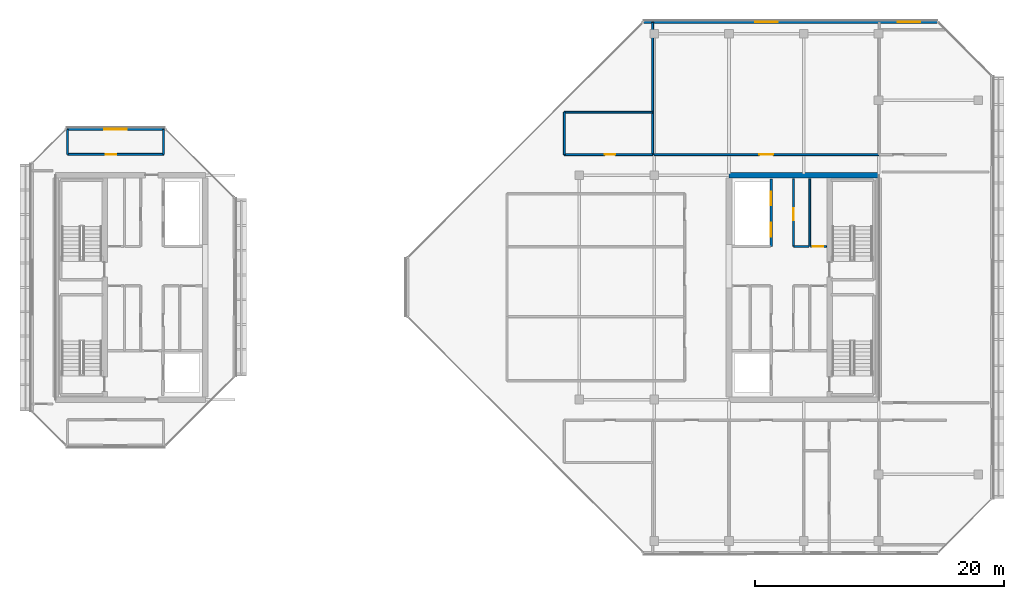
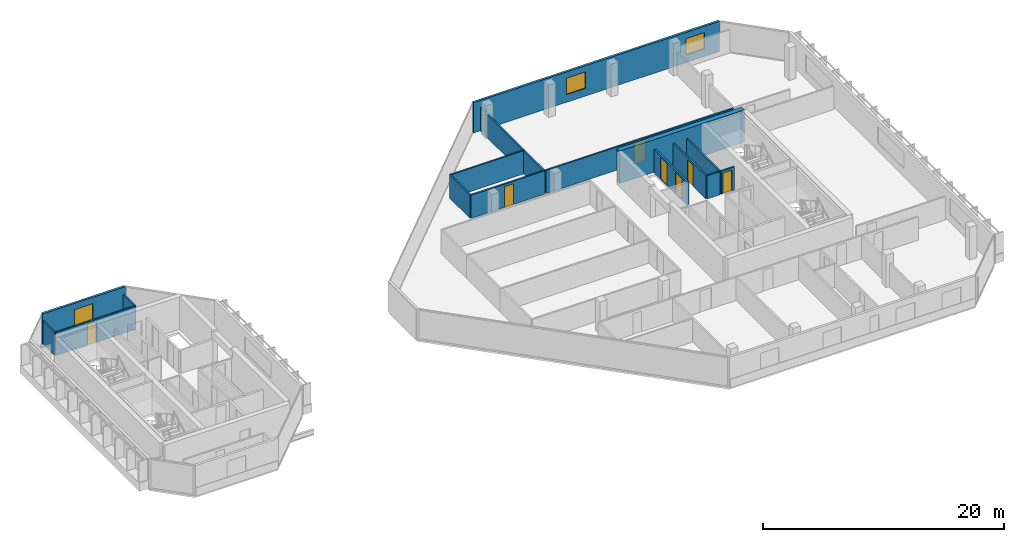
# One storey, part 24 of 29: 16 walls, 7 doors, 3 windows, 10 openings.
"""IFC4 building model written with IfcOpenShell, lengths in metres."""

from ifc_helpers import new_model, si_unit, direction, frame, frame_2d, origin, place, context, subcontext, project, spatial, rectangle, extrude, material, layer, layer_set, type_object, element, fill, save


model = new_model("IFC4")

# Units and contexts
model_context = context("Model", 3, precision=1e-05, world=origin(), true_north=direction((0.0, 1.0)))
body_context = subcontext(model_context, "Body", "Model", "MODEL_VIEW")
ifc_project = project(units=[si_unit("LENGTHUNIT", "METRE"), si_unit("AREAUNIT", "SQUARE_METRE"), si_unit("VOLUMEUNIT", "CUBIC_METRE"), si_unit("PLANEANGLEUNIT", "RADIAN"), si_unit("MASSUNIT", "GRAM", prefix="KILO")], contexts=[model_context])

# Site, building, storey
site_placement = place(None, origin())
site = spatial("IfcSite", under=ifc_project, at=site_placement, CompositionType="ELEMENT")
building_placement = place(site_placement, origin())
building = spatial("IfcBuilding", under=site, at=building_placement, Name="Tanjung Sevakor Pilgrim Tower", CompositionType="ELEMENT")
storey_placement = place(building_placement, frame((0.0, 0.0, 232.64990234375)))
storey = spatial("IfcBuildingStorey", under=building, at=storey_placement, Name="L65", CompositionType="ELEMENT", Elevation=232.64990234375)

# Walls
ifc_material_1 = material(Name="Concrete C60/75", Category="concrete")
ifc_layer_1 = layer(ifc_material_1, 0.449951171875)
ifc_layer_set_1 = layer_set([ifc_layer_1], Name="WALL-CW-450")
wall_type_1 = type_object("IfcWallType", Name="WALL-CW-450", PredefinedType="SHEAR", material=ifc_layer_set_1)
wall_1_placement = place(storey_placement, frame((90.0, 42.60009765625, 0.0), z_axis=(0.0, 0.0, 1.0), x_axis=(-1.0, 0.0, 0.0)))
element("IfcWall", 1, at=wall_1_placement, inside=storey, type_object=wall_type_1, Name="L65 E Core North Shear Wall", PredefinedType="SHEAR", context=body_context, shape_type="SweptSolid", body=[
    extrude(rectangle(XDim=12.0, YDim=0.449951171875, at=frame_2d((6.0, 0.0))), origin(), (0.0, 0.0, 1.0), 3.300048828125),
])
ifc_material_2 = material(Name="Concrete C40/50", Category="concrete")
ifc_layer_2 = layer(ifc_material_2, 0.14990234375)
ifc_layer_set_2 = layer_set([ifc_layer_2], Name="WT-COMP-150")
wall_type_2 = type_object("IfcWallType", Name="WT-COMP-150", PredefinedType="SOLIDWALL", material=ifc_layer_set_2)
wall_2_placement = place(storey_placement, frame((84.47998046875, 36.8798828125, 0.0), z_axis=(0.0, 0.0, 1.0), x_axis=(0.0, 1.0, 0.0)))
element("IfcWall", 2, at=wall_2_placement, inside=storey, type_object=wall_type_2, Name="L65 Partition IW-L65-027", PredefinedType="SOLIDWALL", context=body_context, shape_type="SweptSolid", body=[
    extrude(rectangle(XDim=5.420166015625, YDim=0.14990234375, at=frame_2d((2.7099609375, 0.0))), origin(), (0.0, 0.0, 1.0), 2.35009765625),
])

# Wall, opening, door
wall_3_placement = place(storey_placement, frame((84.550048828125, 36.8798828125, 0.0), z_axis=(0.0, 0.0, 1.0), x_axis=(1.0, 0.0, 0.0)))
wall_3 = element("IfcWall", 3, at=wall_3_placement, inside=storey, type_object=wall_type_2, Name="L65 Partition IW-L65-028", PredefinedType="SOLIDWALL", context=body_context, shape_type="SweptSolid", body=[
    extrude(rectangle(XDim=1.280029296875, YDim=0.14990234375, at=frame_2d((0.64013671875, 0.0))), origin(), (0.0, 0.0, 1.0), 2.35009765625),
])
opening_1_placement = place(wall_3_placement, frame((0.179931640625, 0.0, 0.0)))
opening_1 = element("IfcOpeningElement", 4, at=opening_1_placement, cuts=wall_3, Name="Opening ID-FD3", PredefinedType="OPENING", context=body_context, shape_type="SweptSolid", body=[
    extrude(rectangle(XDim=0.85009765625, YDim=2.10009765625, at=frame_2d((0.425048828125, 1.050048828125))), frame((0.0, 0.0849609375, 0.0), z_axis=(0.0, -1.0, 0.0), x_axis=(1.0, 0.0, 0.0)), (0.0, 0.0, 1.0), 0.169921875),
])
ifc_material_3 = material(Name="Fire-Rated Timber", Category="wood")
door_type_1 = type_object("IfcDoorType", Name="DT-FIRE-850", OperationType="NOTDEFINED", PredefinedType="DOOR", material=ifc_material_3)
door_1_placement = place(opening_1_placement, origin())
door_1 = element("IfcDoor", 5, at=door_1_placement, inside=storey, type_object=door_type_1, Name="L65 Service Store Door", OperationType="SINGLE_SWING_LEFT", OverallHeight=2.10009765625, OverallWidth=0.85009765625, PredefinedType="DOOR", context=body_context, shape_type="SweptSolid", body=[
    extrude(rectangle(XDim=0.85009765625, YDim=2.10009765625, at=frame_2d((0.425048828125, 1.050048828125))), frame((0.0, 0.02490234375, 0.0), z_axis=(0.0, -1.0, 0.0), x_axis=(1.0, 0.0, 0.0)), (0.0, 0.0, 1.0), 0.050048828125),
])
fill(opening_1, door_1)

# Wall
wall_4_placement = place(storey_placement, frame((83.199951171875, 36.8798828125, 0.0), z_axis=(0.0, 0.0, 1.0), x_axis=(1.0, 0.0, 0.0)))
element("IfcWall", 6, at=wall_4_placement, inside=storey, type_object=wall_type_2, Name="L65 Partition IW-L65-029", PredefinedType="SOLIDWALL", context=body_context, shape_type="SweptSolid", body=[
    extrude(rectangle(XDim=1.219970703125, YDim=0.14990234375, at=frame_2d((0.60986328125, 0.0))), origin(), (0.0, 0.0, 1.0), 2.35009765625),
])

# Wall, opening, door
wall_5_placement = place(storey_placement, frame((83.179931640625, 36.8798828125, 0.0), z_axis=(0.0, 0.0, 1.0), x_axis=(0.0, 1.0, 0.0)))
wall_5 = element("IfcWall", 7, at=wall_5_placement, inside=storey, type_object=wall_type_2, Name="L65 Partition IW-L65-030", PredefinedType="SOLIDWALL", context=body_context, shape_type="SweptSolid", body=[
    extrude(rectangle(XDim=5.420166015625, YDim=0.14990234375, at=frame_2d((2.7099609375, 0.0))), origin(), (0.0, 0.0, 1.0), 2.35009765625),
])
opening_2_placement = place(wall_5_placement, frame((2.10009765625, 0.0, 0.0)))
opening_2 = element("IfcOpeningElement", 8, at=opening_2_placement, cuts=wall_5, Name="Opening ID-FD2", PredefinedType="OPENING", context=body_context, shape_type="SweptSolid", body=[
    extrude(rectangle(XDim=0.949951171875, YDim=2.14990234375, at=frame_2d((0.47509765625, 1.074951171875))), frame((0.0, 0.0849609375, 0.0), z_axis=(0.0, -1.0, 0.0), x_axis=(1.0, 0.0, 0.0)), (0.0, 0.0, 1.0), 0.169921875),
])
ifc_material_4 = material(Name="Fire-Rated Timber", Category="wood")
door_type_2 = type_object("IfcDoorType", Name="DT-FIRE-950", OperationType="NOTDEFINED", PredefinedType="DOOR", material=ifc_material_4)
door_2_placement = place(opening_2_placement, origin())
door_2 = element("IfcDoor", 9, at=door_2_placement, inside=storey, type_object=door_type_2, Name="L65 Core Reading Room Door", OperationType="SINGLE_SWING_RIGHT", OverallHeight=2.14990234375, OverallWidth=0.949951171875, PredefinedType="DOOR", context=body_context, shape_type="SweptSolid", body=[
    extrude(rectangle(XDim=0.949951171875, YDim=2.14990234375, at=frame_2d((0.47509765625, 1.074951171875))), frame((0.0, 0.02490234375, 0.0), z_axis=(0.0, -1.0, 0.0), x_axis=(1.0, 0.0, 0.0)), (0.0, 0.0, 1.0), 0.050048828125),
])
fill(opening_2, door_2)

wall_6_placement = place(storey_placement, frame((24.949951171875, 44.27001953125, 0.0), z_axis=(0.0, 0.0, 1.0), x_axis=(1.0, 0.0, 0.0)))
wall_6 = element("IfcWall", 10, at=wall_6_placement, inside=storey, type_object=wall_type_2, Name="L65 Partition IW-L65-038", PredefinedType="SOLIDWALL", context=body_context, shape_type="SweptSolid", body=[
    extrude(rectangle(XDim=7.699951171875, YDim=0.14990234375, at=frame_2d((3.85009765625, 0.0))), origin(), (0.0, 0.0, 1.0), 2.35009765625),
])
opening_3_placement = place(wall_6_placement, frame((3.074951171875, 0.0, 0.0)))
opening_3 = element("IfcOpeningElement", 11, at=opening_3_placement, cuts=wall_6, Name="Opening ID-WC1", PredefinedType="OPENING", context=body_context, shape_type="SweptSolid", body=[
    extrude(rectangle(XDim=0.85009765625, YDim=2.10009765625, at=frame_2d((0.425048828125, 1.050048828125))), frame((0.0, 0.0849609375, 0.0), z_axis=(0.0, -1.0, 0.0), x_axis=(1.0, 0.0, 0.0)), (0.0, 0.0, 1.0), 0.169921875),
])
ifc_material_5 = material(Name="Moisture-Resistant Timber", Category="wood")
door_type_3 = type_object("IfcDoorType", Name="DT-INT-850", OperationType="NOTDEFINED", PredefinedType="DOOR", material=ifc_material_5)
door_3_placement = place(opening_3_placement, origin())
door_3 = element("IfcDoor", 12, at=door_3_placement, inside=storey, type_object=door_type_3, Name="L65 West Peak North Observatory Door", OperationType="SINGLE_SWING_LEFT", OverallHeight=2.10009765625, OverallWidth=0.85009765625, PredefinedType="DOOR", context=body_context, shape_type="SweptSolid", body=[
    extrude(rectangle(XDim=0.85009765625, YDim=2.10009765625, at=frame_2d((0.425048828125, 1.050048828125))), frame((0.0, 0.02490234375, 0.0), z_axis=(0.0, -1.0, 0.0), x_axis=(1.0, 0.0, 0.0)), (0.0, 0.0, 1.0), 0.050048828125),
])
fill(opening_3, door_3)

# Walls
for number, where, z_axis, x_axis, name in (
    (13, (24.949951171875, 44.27001953125, 0.0), (0.0, 0.0, 1.0), (0.0, 1.0, 0.0), "L65 Partition IW-L65-039"),
    (14, (32.64990234375, 44.27001953125, 0.0), (0.0, 0.0, 1.0), (0.0, 1.0, 0.0), "L65 Partition IW-L65-040"),
):
    element("IfcWall", number, at=place(storey_placement, frame(where, z_axis=z_axis, x_axis=x_axis)), inside=storey, type_object=wall_type_2, Name=name, PredefinedType="SOLIDWALL", context=body_context, shape_type="SweptSolid", body=[
        extrude(rectangle(XDim=2.010009765625, YDim=0.14990234375, at=frame_2d((1.0048828125, 0.0))), origin(), (0.0, 0.0, 1.0), 2.35009765625),
    ])

# Wall, opening, door
wall_7_placement = place(storey_placement, frame((64.800048828125, 44.25, 0.0), z_axis=(0.0, 0.0, 1.0), x_axis=(1.0, 0.0, 0.0)))
wall_7 = element("IfcWall", 15, at=wall_7_placement, inside=storey, type_object=wall_type_2, Name="L65 Partition IW-L65-045", PredefinedType="SOLIDWALL", context=body_context, shape_type="SweptSolid", body=[
    extrude(rectangle(XDim=7.079833984375, YDim=0.14990234375, at=frame_2d((3.5400390625, 0.0))), origin(), (0.0, 0.0, 1.0), 2.35009765625),
])
opening_4_placement = place(wall_7_placement, frame((3.22509765625, 0.0, 0.0)))
opening_4 = element("IfcOpeningElement", 16, at=opening_4_placement, cuts=wall_7, Name="Opening ID-WC1", PredefinedType="OPENING", context=body_context, shape_type="SweptSolid", body=[
    extrude(rectangle(XDim=0.85009765625, YDim=2.10009765625, at=frame_2d((0.425048828125, 1.050048828125))), frame((0.0, 0.0849609375, 0.0), z_axis=(0.0, -1.0, 0.0), x_axis=(1.0, 0.0, 0.0)), (0.0, 0.0, 1.0), 0.169921875),
])
door_4_placement = place(opening_4_placement, origin())
door_4 = element("IfcDoor", 17, at=door_4_placement, inside=storey, type_object=door_type_3, Name="L65 NW Crown Library Door", OperationType="SINGLE_SWING_LEFT", OverallHeight=2.10009765625, OverallWidth=0.85009765625, PredefinedType="DOOR", context=body_context, shape_type="SweptSolid", body=[
    extrude(rectangle(XDim=0.85009765625, YDim=2.10009765625, at=frame_2d((0.425048828125, 1.050048828125))), frame((0.0, 0.02490234375, 0.0), z_axis=(0.0, -1.0, 0.0), x_axis=(1.0, 0.0, 0.0)), (0.0, 0.0, 1.0), 0.050048828125),
])
fill(opening_4, door_4)

# Walls
wall_8_placement = place(storey_placement, frame((64.800048828125, 47.64990234375, 0.0), z_axis=(0.0, 0.0, 1.0), x_axis=(1.0, 0.0, 0.0)))
element("IfcWall", 18, at=wall_8_placement, inside=storey, type_object=wall_type_2, Name="L65 Partition IW-L65-046", PredefinedType="SOLIDWALL", context=body_context, shape_type="SweptSolid", body=[
    extrude(rectangle(XDim=7.079833984375, YDim=0.14990234375, at=frame_2d((3.5400390625, 0.0))), origin(), (0.0, 0.0, 1.0), 2.35009765625),
])
wall_9_placement = place(storey_placement, frame((64.800048828125, 44.25, 0.0), z_axis=(0.0, 0.0, 1.0), x_axis=(0.0, 1.0, 0.0)))
element("IfcWall", 19, at=wall_9_placement, inside=storey, type_object=wall_type_2, Name="L65 Partition IW-L65-047", PredefinedType="SOLIDWALL", context=body_context, shape_type="SweptSolid", body=[
    extrude(rectangle(XDim=3.39990234375, YDim=0.14990234375, at=frame_2d((1.699951171875, 0.0))), origin(), (0.0, 0.0, 1.0), 2.35009765625),
])
wall_10_placement = place(storey_placement, frame((71.8798828125, 44.25, 0.0), z_axis=(0.0, 0.0, 1.0), x_axis=(0.0, 1.0, 0.0)))
element("IfcWall", 20, at=wall_10_placement, inside=storey, type_object=wall_type_2, Name="L65 Partition IW-L65-048", PredefinedType="SOLIDWALL", context=body_context, shape_type="SweptSolid", body=[
    extrude(rectangle(XDim=10.610107421875, YDim=0.14990234375, at=frame_2d((5.30517578125, 0.0))), origin(), (0.0, 0.0, 1.0), 2.35009765625),
])

# Wall, opening, door
wall_11_placement = place(storey_placement, frame((72.0, 44.25, 0.0), z_axis=(0.0, 0.0, 1.0), x_axis=(1.0, 0.0, 0.0)))
wall_11 = element("IfcWall", 21, at=wall_11_placement, inside=storey, type_object=wall_type_2, Name="L65 Partition IW-L65-064", PredefinedType="SOLIDWALL", context=body_context, shape_type="SweptSolid", body=[
    extrude(rectangle(XDim=18.0, YDim=0.14990234375, at=frame_2d((9.0, 0.0))), origin(), (0.0, 0.0, 1.0), 2.35009765625),
])
opening_5_placement = place(wall_11_placement, frame((8.449951171875, 0.0, 0.0)))
opening_5 = element("IfcOpeningElement", 22, at=opening_5_placement, cuts=wall_11, Name="Opening ID-FD0", PredefinedType="OPENING", context=body_context, shape_type="SweptSolid", body=[
    extrude(rectangle(XDim=1.10009765625, YDim=2.14990234375, at=frame_2d((0.550048828125, 1.074951171875))), frame((0.0, 0.0849609375, 0.0), z_axis=(0.0, -1.0, 0.0), x_axis=(1.0, 0.0, 0.0)), (0.0, 0.0, 1.0), 0.169921875),
])
ifc_material_6 = material(Name="Fire-Rated Steel S355J2", Category="steel")
door_type_4 = type_object("IfcDoorType", Name="DT-FIRE-1100", OperationType="NOTDEFINED", PredefinedType="DOOR", material=ifc_material_6)
door_5_placement = place(opening_5_placement, origin())
door_5 = element("IfcDoor", 23, at=door_5_placement, inside=storey, type_object=door_type_4, Name="Sky-Prayer Sanctuary Door", OperationType="SINGLE_SWING_RIGHT", OverallHeight=2.14990234375, OverallWidth=1.10009765625, PredefinedType="DOOR", context=body_context, shape_type="SweptSolid", body=[
    extrude(rectangle(XDim=1.10009765625, YDim=2.14990234375, at=frame_2d((0.550048828125, 1.074951171875))), frame((0.0, 0.02490234375, 0.0), z_axis=(0.0, -1.0, 0.0), x_axis=(1.0, 0.0, 0.0)), (0.0, 0.0, 1.0), 0.050048828125),
])
fill(opening_5, door_5)

# Wall, opening, window
ifc_material_7 = material(Name="Precast concrete C45/55", Category="concrete")
ifc_layer_3 = layer(ifc_material_7, 0.219970703125)
ifc_layer_set_3 = layer_set([ifc_layer_3], Name="WT-EW-STN4")
wall_type_3 = type_object("IfcWallType", Name="WT-EW-STN4", PredefinedType="SOLIDWALL", material=ifc_layer_set_3)
wall_12_placement = place(storey_placement, frame((32.804443359375, 46.2900390625, 0.0), z_axis=(0.0, 0.0, 1.0), x_axis=(-1.0, 0.0, 0.0)))
wall_12 = element("IfcWall", 24, at=wall_12_placement, inside=storey, type_object=wall_type_3, Name="L65 WEST Exterior Wall 5", PredefinedType="SOLIDWALL", context=body_context, shape_type="SweptSolid", body=[
    extrude(rectangle(XDim=7.958740234375, YDim=0.219970703125, at=frame_2d((3.9794921875, 0.0))), origin(), (0.0, 0.0, 1.0), 3.080078125),
])
opening_6_placement = place(wall_12_placement, frame((3.1044921875, 0.0, 0.780029296875)))
opening_6 = element("IfcOpeningElement", 25, at=opening_6_placement, cuts=wall_12, Name="Opening WN-Z3-1660", PredefinedType="OPENING", context=body_context, shape_type="SweptSolid", body=[
    extrude(rectangle(XDim=1.800048828125, YDim=1.659912109375, at=frame_2d((0.89990234375, 0.830078125))), frame((0.0, 0.119873046875, 0.0), z_axis=(0.0, -1.0, 0.0), x_axis=(1.0, 0.0, 0.0)), (0.0, 0.0, 1.0), 0.239990234375),
])
ifc_material_8 = material(Name="Thermally Broken Aluminium and Low-E Glass", Category="aluminium")
window_type = type_object("IfcWindowType", Name="WTYP-WN-Z3-1660", PartitioningType="DOUBLE_PANEL_VERTICAL", PredefinedType="WINDOW", material=ifc_material_8)
window_1_placement = place(opening_6_placement, origin())
window_1 = element("IfcWindow", 26, at=window_1_placement, inside=storey, type_object=window_type, Name="L65 Facade Window 01", OverallHeight=1.659912109375, OverallWidth=1.800048828125, PartitioningType="SINGLE_PANEL", PredefinedType="WINDOW", context=body_context, shape_type="SweptSolid", body=[
    extrude(rectangle(XDim=1.800048828125, YDim=1.659912109375, at=frame_2d((0.89990234375, 0.830078125))), frame((0.0, 0.030029296875, 0.0), z_axis=(0.0, -1.0, 0.0), x_axis=(1.0, 0.0, 0.0)), (0.0, 0.0, 1.0), 0.06005859375),
])
fill(opening_6, window_1)

# Wall, openings, windows
wall_13_placement = place(storey_placement, frame((94.75439453125, 54.889892578125, 0.0), z_axis=(0.0, 0.0, 1.0), x_axis=(-1.0, 0.0, 0.0)))
wall_13 = element("IfcWall", 27, at=wall_13_placement, inside=storey, type_object=wall_type_3, Name="L65 EAST Exterior Wall 5", PredefinedType="SOLIDWALL", context=body_context, shape_type="SweptSolid", body=[
    extrude(rectangle(XDim=23.60888671875, YDim=0.219970703125, at=frame_2d((11.804443359375, 0.0))), origin(), (0.0, 0.0, 1.0), 3.080078125),
])
opening_7_placement = place(wall_13_placement, frame((1.42724609375, 0.0, 0.780029296875)))
opening_7 = element("IfcOpeningElement", 28, at=opening_7_placement, cuts=wall_13, Name="Opening WN-Z3-1660", PredefinedType="OPENING", context=body_context, shape_type="SweptSolid", body=[
    extrude(rectangle(XDim=1.800048828125, YDim=1.659912109375, at=frame_2d((0.89990234375, 0.830078125))), frame((0.0, 0.119873046875, 0.0), z_axis=(0.0, -1.0, 0.0), x_axis=(1.0, 0.0, 0.0)), (0.0, 0.0, 1.0), 0.239990234375),
])
opening_8_placement = place(wall_13_placement, frame((12.8544921875, 0.0, 0.780029296875)))
opening_8 = element("IfcOpeningElement", 29, at=opening_8_placement, cuts=wall_13, Name="Opening WN-Z3-1660", PredefinedType="OPENING", context=body_context, shape_type="SweptSolid", body=[
    extrude(rectangle(XDim=1.800048828125, YDim=1.659912109375, at=frame_2d((0.89990234375, 0.830078125))), frame((0.0, 0.119873046875, 0.0), z_axis=(0.0, -1.0, 0.0), x_axis=(1.0, 0.0, 0.0)), (0.0, 0.0, 1.0), 0.239990234375),
])
window_2_placement = place(opening_7_placement, origin())
window_2 = element("IfcWindow", 30, at=window_2_placement, inside=storey, type_object=window_type, Name="L65 Facade Window 01", OverallHeight=1.659912109375, OverallWidth=1.800048828125, PartitioningType="SINGLE_PANEL", PredefinedType="WINDOW", context=body_context, shape_type="SweptSolid", body=[
    extrude(rectangle(XDim=1.800048828125, YDim=1.659912109375, at=frame_2d((0.89990234375, 0.830078125))), frame((0.0, 0.030029296875, 0.0), z_axis=(0.0, -1.0, 0.0), x_axis=(1.0, 0.0, 0.0)), (0.0, 0.0, 1.0), 0.06005859375),
])
fill(opening_7, window_2)
window_3_placement = place(opening_8_placement, origin())
window_3 = element("IfcWindow", 31, at=window_3_placement, inside=storey, type_object=window_type, Name="L65 Facade Window 02", OverallHeight=1.659912109375, OverallWidth=1.800048828125, PartitioningType="SINGLE_PANEL", PredefinedType="WINDOW", context=body_context, shape_type="SweptSolid", body=[
    extrude(rectangle(XDim=1.800048828125, YDim=1.659912109375, at=frame_2d((0.89990234375, 0.830078125))), frame((0.0, 0.030029296875, 0.0), z_axis=(0.0, -1.0, 0.0), x_axis=(1.0, 0.0, 0.0)), (0.0, 0.0, 1.0), 0.06005859375),
])
fill(opening_8, window_3)

# Wall, openings, doors
ifc_material_9 = material(Name="Concrete C40/50", Category="concrete")
ifc_layer_4 = layer(ifc_material_9, 0.199951171875)
ifc_layer_set_4 = layer_set([ifc_layer_4], Name="WT-FPRT-200")
wall_type_4 = type_object("IfcWallType", Name="WT-FPRT-200", PredefinedType="SOLIDWALL", material=ifc_layer_set_4)
wall_14_placement = place(storey_placement, frame((81.3798828125, 36.8798828125, 0.0), z_axis=(0.0, 0.0, 1.0), x_axis=(0.0, 1.0, 0.0)))
wall_14 = element("IfcWall", 32, at=wall_14_placement, inside=storey, type_object=wall_type_4, Name="L65 Partition IW-L65-032", PredefinedType="SOLIDWALL", context=body_context, shape_type="SweptSolid", body=[
    extrude(rectangle(XDim=5.420166015625, YDim=0.199951171875, at=frame_2d((2.7099609375, 0.0))), origin(), (0.0, 0.0, 1.0), 2.35009765625),
])
opening_9_placement = place(wall_14_placement, frame((0.800048828125, 0.0, 0.0)))
opening_9 = element("IfcOpeningElement", 33, at=opening_9_placement, cuts=wall_14, Name="Opening LD-1100", PredefinedType="OPENING", context=body_context, shape_type="SweptSolid", body=[
    extrude(rectangle(XDim=1.10009765625, YDim=2.199951171875, at=frame_2d((0.550048828125, 1.10009765625))), frame((0.0, 0.10986328125, 0.0), z_axis=(0.0, -1.0, 0.0), x_axis=(1.0, 0.0, 0.0)), (0.0, 0.0, 1.0), 0.219970703125),
])
opening_10_placement = place(wall_14_placement, frame((3.300048828125, 0.0, 0.0)))
opening_10 = element("IfcOpeningElement", 34, at=opening_10_placement, cuts=wall_14, Name="Opening LD-1100", PredefinedType="OPENING", context=body_context, shape_type="SweptSolid", body=[
    extrude(rectangle(XDim=1.10009765625, YDim=2.199951171875, at=frame_2d((0.550048828125, 1.10009765625))), frame((0.0, 0.10986328125, 0.0), z_axis=(0.0, -1.0, 0.0), x_axis=(1.0, 0.0, 0.0)), (0.0, 0.0, 1.0), 0.219970703125),
])
ifc_material_10 = material(Name="Brushed Stainless Steel S355J2", Category="steel")
door_type_5 = type_object("IfcDoorType", Name="DT-LIFT-1100", OperationType="SLIDING_TO_LEFT", PredefinedType="DOOR", material=ifc_material_10)
door_6_placement = place(opening_9_placement, origin())
door_6 = element("IfcDoor", 35, at=door_6_placement, inside=storey, type_object=door_type_5, Name="LD-PLH1-E", OperationType="SLIDING_TO_LEFT", OverallHeight=2.199951171875, OverallWidth=1.10009765625, PredefinedType="DOOR", context=body_context, shape_type="SweptSolid", body=[
    extrude(rectangle(XDim=1.10009765625, YDim=2.199951171875, at=frame_2d((0.550048828125, 1.10009765625))), frame((0.0, 0.02490234375, 0.0), z_axis=(0.0, -1.0, 0.0), x_axis=(1.0, 0.0, 0.0)), (0.0, 0.0, 1.0), 0.050048828125),
])
fill(opening_9, door_6)
door_7_placement = place(opening_10_placement, origin())
door_7 = element("IfcDoor", 36, at=door_7_placement, inside=storey, type_object=door_type_5, Name="LD-PLH2-E", OperationType="SLIDING_TO_RIGHT", OverallHeight=2.199951171875, OverallWidth=1.10009765625, PredefinedType="DOOR", context=body_context, shape_type="SweptSolid", body=[
    extrude(rectangle(XDim=1.10009765625, YDim=2.199951171875, at=frame_2d((0.550048828125, 1.10009765625))), frame((0.0, 0.02490234375, 0.0), z_axis=(0.0, -1.0, 0.0), x_axis=(1.0, 0.0, 0.0)), (0.0, 0.0, 1.0), 0.050048828125),
])
fill(opening_10, door_7)

save(model, "model.ifc")
